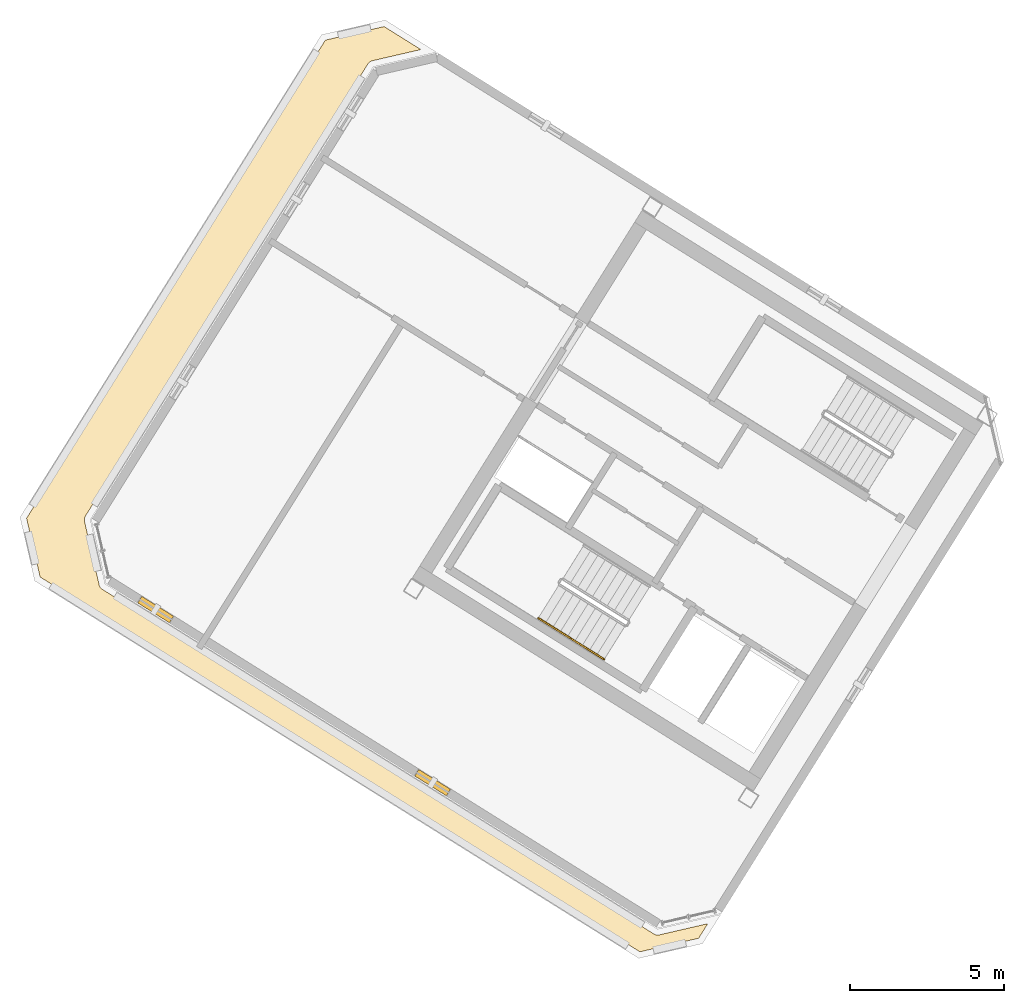
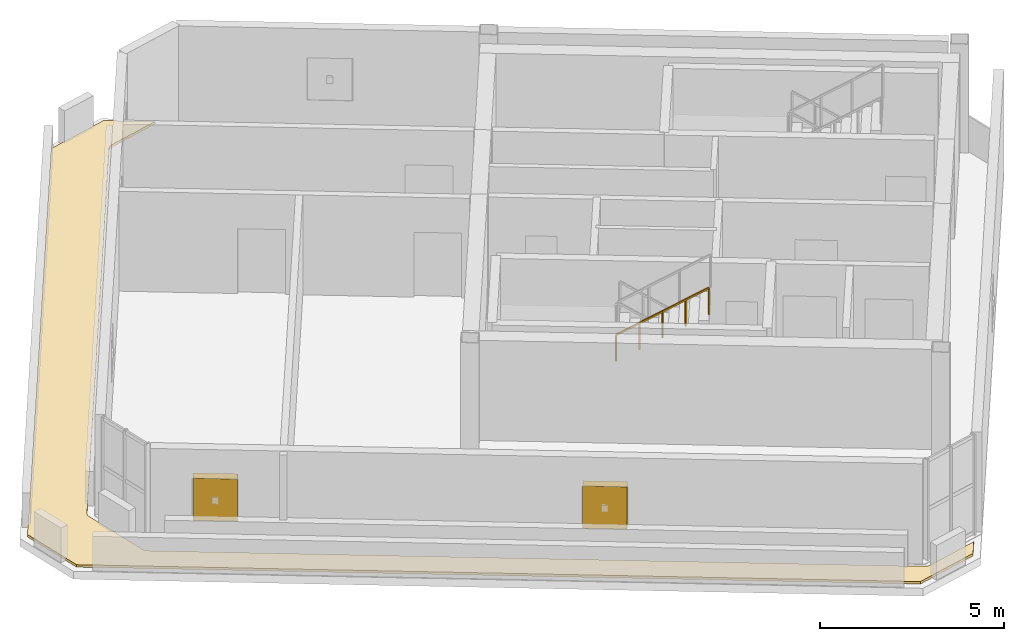
# One storey, part 7 of 8: 2 railings, 2 shading devices, 1 covering.
"""IFC4 building model written with IfcOpenShell, lengths in metres."""

from ifc_helpers import new_model, si_unit, direction, frame, origin, origin_2d, place, context, subcontext, project, spatial, polyline, rectangle, outline, extrude, source, transform, mapped, material, layer, layer_set, type_object, element, save


model = new_model("IFC4")

# Units and contexts
model_context = context("Model", 3, precision=1e-05, world=origin(), true_north=direction((0.0, 1.0)))
body_context = subcontext(model_context, "Body", "Model", "MODEL_VIEW")
ifc_project = project(units=[si_unit("LENGTHUNIT", "METRE"), si_unit("AREAUNIT", "SQUARE_METRE"), si_unit("VOLUMEUNIT", "CUBIC_METRE"), si_unit("PLANEANGLEUNIT", "RADIAN"), si_unit("MASSUNIT", "GRAM", prefix="KILO")], contexts=[model_context])

# Site, building, storey
site_placement = place(None, origin())
site = spatial("IfcSite", under=ifc_project, at=site_placement, CompositionType="ELEMENT")
building_placement = place(site_placement, origin())
building = spatial("IfcBuilding", under=site, at=building_placement, Name="Tlacorven Tower", CompositionType="ELEMENT")
storey_placement = place(building_placement, frame((0.0, 0.0, 302.39990234375)))
storey = spatial("IfcBuildingStorey", under=building, at=storey_placement, Name="L77", CompositionType="ELEMENT", Elevation=302.39990234375)

# Covering
ifc_material_1 = material(Name="EPDM waterproofing membrane and rigid insulation")
ifc_layer = layer(ifc_material_1, 0.080078125)
ifc_layer_set = layer_set([ifc_layer], Name="EPDM waterproofing membrane and rigid insulation")
covering_type = type_object("IfcCoveringType", Name="CV-ROF-MEMB", PredefinedType="ROOFING", material=ifc_layer_set)
covering_placement = place(storey_placement, origin())
element("IfcCovering", 1, at=covering_placement, inside=storey, type_object=covering_type, Name="L77 Stepped Crown Waterproofing Membrane 1.1", PredefinedType="ROOFING", context=body_context, shape_type="SweptSolid", body=[
    extrude(outline(polyline([(31.428466796875, 7.535400390625), (29.52294921875, 7.095458984375), (10.073486328125, 19.248779296875), (9.633544921875, 21.154296875), (19.32275390625, 36.660400390625), (21.228271484375, 37.100341796875), (22.420654296875, 36.355224609375), (20.84375, 35.990966796875), (20.834228515625, 35.988525390625), (20.832275390625, 35.988037109375), (20.813720703125, 35.981689453125), (20.811767578125, 35.981201171875), (20.7939453125, 35.97314453125), (20.792236328125, 35.97216796875), (20.775146484375, 35.96240234375), (20.7734375, 35.96142578125), (20.757568359375, 35.949951171875), (20.756103515625, 35.94873046875), (20.7412109375, 35.935791015625), (20.73974609375, 35.934326171875), (20.726318359375, 35.920166015625), (20.72509765625, 35.918701171875), (20.713134765625, 35.903076171875), (20.7119140625, 35.9013671875), (20.70654296875, 35.893310546875), (11.5390625, 21.22216796875), (11.533935546875, 21.213623046875), (11.532958984375, 21.2119140625), (11.5244140625, 21.1943359375), (11.5234375, 21.1923828125), (11.5166015625, 21.174072265625), (11.515869140625, 21.17236328125), (11.5107421875, 21.1533203125), (11.510498046875, 21.1513671875), (11.507080078125, 21.132080078125), (11.507080078125, 21.130126953125), (11.505615234375, 21.110595703125), (11.505615234375, 21.108642578125), (11.506103515625, 21.0888671875), (11.50634765625, 21.0869140625), (11.5087890625, 21.067626953125), (11.50927734375, 21.065673828125), (11.51123046875, 21.055908203125), (11.98828125, 18.989013671875), (11.99072265625, 18.9794921875), (11.991455078125, 18.9775390625), (11.99755859375, 18.958984375), (11.998291015625, 18.957275390625), (12.00634765625, 18.939208984375), (12.00732421875, 18.9375), (12.01708984375, 18.920654296875), (12.01806640625, 18.9189453125), (12.029541015625, 18.90283203125), (12.03076171875, 18.9013671875), (12.043701171875, 18.886474609375), (12.044921875, 18.88525390625), (12.059326171875, 18.871826171875), (12.060791015625, 18.870361328125), (12.076416015625, 18.8583984375), (12.077880859375, 18.857421875), (12.086181640625, 18.85205078125), (29.97998046875, 7.670654296875), (29.988525390625, 7.665771484375), (29.990234375, 7.664794921875), (30.0078125, 7.656005859375), (30.009521484375, 7.6552734375), (30.02783203125, 7.648193359375), (30.02978515625, 7.647705078125), (30.048583984375, 7.642578125), (30.050537109375, 7.64208984375), (30.070068359375, 7.638916015625), (30.072021484375, 7.638671875), (30.091552734375, 7.63720703125), (30.093505859375, 7.63720703125), (30.113037109375, 7.637939453125), (30.114990234375, 7.637939453125), (30.134521484375, 7.640625), (30.136474609375, 7.640869140625), (30.14599609375, 7.642822265625), (31.72314453125, 8.0068359375), (31.428466796875, 7.535400390625)])), origin(), (0.0, 0.0, 1.0), 0.080078125),
])

# Shading devices
ifc_material_2 = material(Name="Anodised bronze aluminium acoustic louvre", Category="aluminium")
shading_device_type = type_object("IfcShadingDeviceType", Name="SH-LVR-WND", PredefinedType="JALOUSIE", material=ifc_material_2)
shared_shape_1 = source(origin(), body_context, "Body", "SweptSolid", [
    extrude(rectangle(XDim=1.2099609375, YDim=0.25, at=origin_2d()), origin(), (0.0, 0.0, 1.0), 1.39990234375),
])
for number, where, z_axis, x_axis, name in (
    (2, (22.800048828125, 12.581787109375, 0.9501953125), (0.0, 0.0, 1.0), (-0.848048089904, 0.529919274239, 0.0), "L77 Storm-Resistant Acoustic Louvre Bank 2.1"),
    (3, (13.8173828125, 18.194580078125, 0.9501953125), (0.0, 0.0, 1.0), (-0.848048089904, 0.529919274239, 0.0), "L77 Storm-Resistant Acoustic Louvre Bank 2.2"),
):
    element("IfcShadingDevice", number, at=place(storey_placement, frame(where, z_axis=z_axis, x_axis=x_axis)), inside=storey, type_object=shading_device_type, Name=name, PredefinedType="JALOUSIE", context=body_context, shape_type="MappedRepresentation", body=[
        mapped(shared_shape_1, transform((0.0, 0.0, 0.0), scale=1.0)),
    ])

# Railings
ifc_material_3 = material(Name="Aluminium and painted steel balustrade", Category="steel")
railing_type = type_object("IfcRailingType", Name="RL-HND-0900", PredefinedType="HANDRAIL", material=ifc_material_3)
shared_shape_2 = source(origin(), body_context, "Body", "SweptSolid", [
    extrude(rectangle(XDim=0.048095703125, YDim=0.048095703125, at=origin_2d()), frame((0.0, 0.0, 0.8759765625), z_axis=(0.713359751793, -0.4457479829, 0.540764828981), x_axis=(0.529911857636, 0.848052724267, 0.0)), (0.0, 0.0, 1.0), 1.498046875),
    extrude(rectangle(XDim=0.0419921875, YDim=0.0419921875, at=origin_2d()), origin(), (0.0, 0.0, 1.0), 0.851806640625),
    extrude(rectangle(XDim=0.0419921875, YDim=0.0419921875, at=origin_2d()), frame((0.5341796875, -0.333984375, 0.405029296875)), (0.0, 0.0, 1.0), 0.851806640625),
    extrude(rectangle(XDim=0.0419921875, YDim=0.0419921875, at=origin_2d()), frame((1.068603515625, -0.667724609375, 0.81005859375)), (0.0, 0.0, 1.0), 0.851806640625),
])
railing_1_placement = place(storey_placement, frame((26.228759765625, 17.915283203125, 1.97998046875)))
element("IfcRailing", 4, at=railing_1_placement, inside=storey, type_object=railing_type, Name="L77 ST-W1 stair handrail 3", PredefinedType="HANDRAIL", context=body_context, shape_type="MappedRepresentation", body=[
    mapped(shared_shape_2, transform((0.0, 0.0, 0.0), scale=1.0)),
])
shared_shape_3 = source(origin(), body_context, "Body", "SweptSolid", [
    extrude(rectangle(XDim=0.048095703125, YDim=0.048095703125, at=origin_2d()), frame((0.0, 0.0, 0.8759765625), z_axis=(0.713279695859, -0.445799809912, 0.540827703579), x_axis=(0.529998940003, 0.847998304005, 0.0)), (0.0, 0.0, 1.0), 1.497802734375),
    extrude(rectangle(XDim=0.0419921875, YDim=0.0419921875, at=origin_2d()), origin(), (0.0, 0.0, 1.0), 0.851806640625),
    extrude(rectangle(XDim=0.0419921875, YDim=0.0419921875, at=origin_2d()), frame((0.5341796875, -0.333984375, 0.405029296875)), (0.0, 0.0, 1.0), 0.851806640625),
    extrude(rectangle(XDim=0.0419921875, YDim=0.0419921875, at=origin_2d()), frame((1.068359375, -0.667724609375, 0.81005859375)), (0.0, 0.0, 1.0), 0.851806640625),
])
railing_2_placement = place(storey_placement, frame((27.29736328125, 17.24755859375, 2.7900390625)))
element("IfcRailing", 5, at=railing_2_placement, inside=storey, type_object=railing_type, Name="L77 ST-W1 stair handrail 4", PredefinedType="HANDRAIL", context=body_context, shape_type="MappedRepresentation", body=[
    mapped(shared_shape_3, transform((0.0, 0.0, 0.0), scale=1.0)),
])

save(model, "model.ifc")
